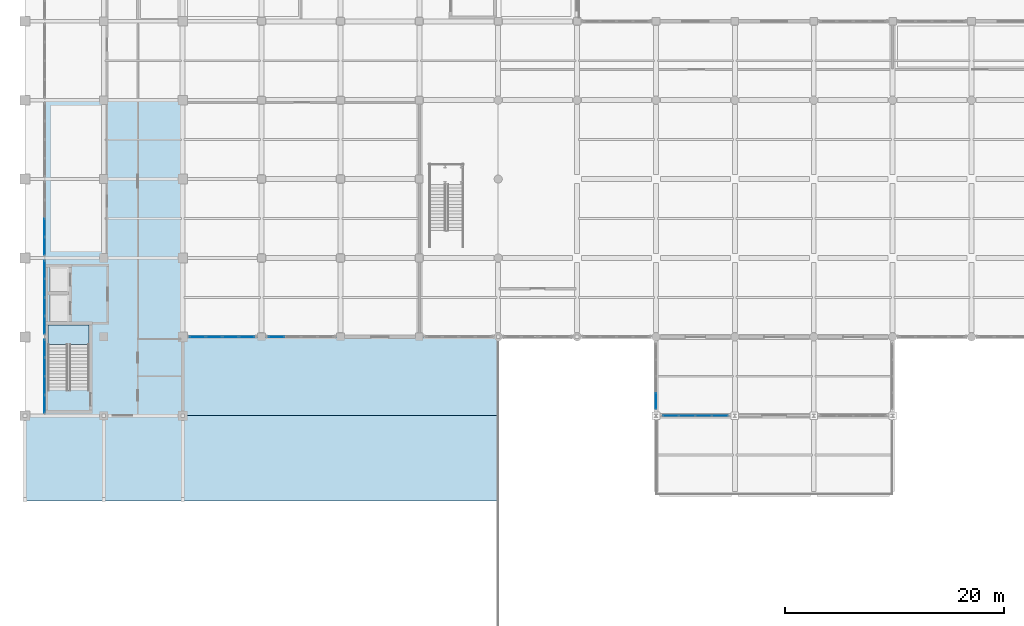
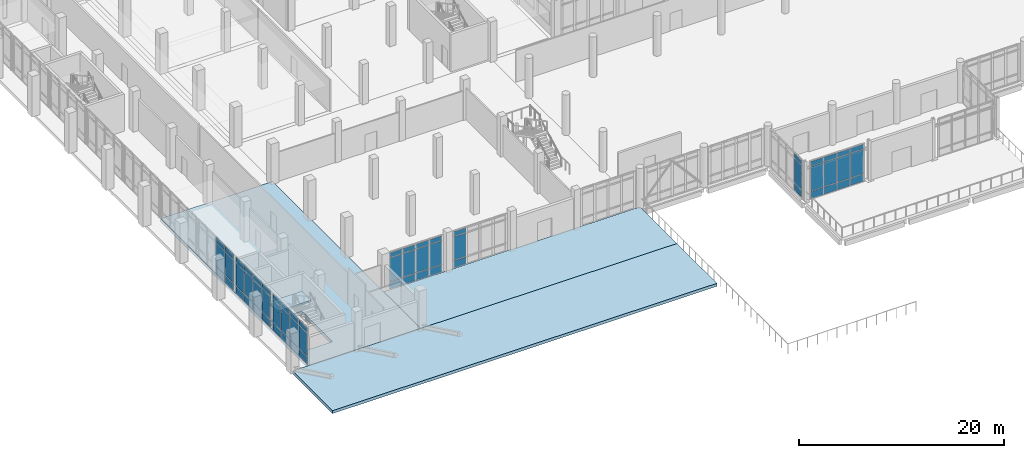
# One storey, part 27 of 59: 60 plates, 4 slabs, 8 elements without a shape of their own.
"""IFC4 building model written with IfcOpenShell, lengths in metres."""

from ifc_helpers import new_model, si_unit, direction, frame, origin, origin_2d, place, context, subcontext, project, spatial, polyline, rectangle, outline, extrude, material, layer, layer_set, type_object, element, aggregate, save


model = new_model("IFC4")

# Units and contexts
model_context = context("Model", 3, precision=1e-05, world=origin(), true_north=direction((0.0, 1.0)))
body_context = subcontext(model_context, "Body", "Model", "MODEL_VIEW")
ifc_project = project(units=[si_unit("LENGTHUNIT", "METRE"), si_unit("AREAUNIT", "SQUARE_METRE"), si_unit("VOLUMEUNIT", "CUBIC_METRE"), si_unit("PLANEANGLEUNIT", "RADIAN"), si_unit("MASSUNIT", "GRAM", prefix="KILO")], contexts=[model_context])

# Site, building, storey
site_placement = place(None, origin())
site = spatial("IfcSite", under=ifc_project, at=site_placement, CompositionType="ELEMENT")
building_placement = place(site_placement, origin())
building = spatial("IfcBuilding", under=site, at=building_placement, Name="Valkovuoma Quantum and Materials Research Institute", CompositionType="ELEMENT")
storey_placement = place(building_placement, origin())
storey = spatial("IfcBuildingStorey", under=building, at=storey_placement, Name="L00", CompositionType="ELEMENT", Elevation=0.0)

# Curtain wall, plates
ifc_material_1 = material(Name="Thermally broken aluminium and triple low-E glazing", Category="aluminium")
ifc_layer_1 = layer(ifc_material_1, 0.219970703125)
ifc_layer_set_1 = layer_set([ifc_layer_1], Name="Thermally broken aluminium and triple low-E glazing")
curtain_wall_type_1 = type_object("IfcCurtainWallType", Name="CW-CW-03", PredefinedType="NOTDEFINED", material=ifc_layer_set_1)
curtain_wall_1_placement = place(storey_placement, origin())
curtain_wall_1 = element("IfcCurtainWall", 1, at=curtain_wall_1_placement, inside=storey, type_object=curtain_wall_type_1, Name="L00 curtain wall CW-L00-V5-04", PredefinedType="NOTDEFINED")
ifc_material_2 = material(Name="Triple low-E argon insulating glass", Category="glass")
ifc_layer_2 = layer(ifc_material_2, 0.035888671875)
ifc_layer_set_2 = layer_set([ifc_layer_2], Name="Triple low-E argon insulating glass")
plate_type_1 = type_object("IfcPlateType", Name="CWPanel-CWP-01", PredefinedType="CURTAIN_PANEL", material=ifc_layer_set_2)
plate_1_placement = place(storey_placement, frame((1.800048828125, 29.86865234375, 0.06494140625), z_axis=(0.0, 0.0, 1.0), x_axis=(0.0, 1.0, 0.0)))
plate_1 = element("IfcPlate", 2, at=plate_1_placement, type_object=plate_type_1, Name="CW-03 panel 1.1", PredefinedType="CURTAIN_PANEL", context=body_context, shape_type="SweptSolid", body=[
    extrude(rectangle(XDim=1.58740234375, YDim=0.035888671875, at=origin_2d()), origin(), (0.0, 0.0, 1.0), 0.8525390625),
])
plate_2_placement = place(storey_placement, frame((1.800048828125, 29.86865234375, 0.982421875), z_axis=(0.0, 0.0, 1.0), x_axis=(0.0, 1.0, 0.0)))
plate_2 = element("IfcPlate", 3, at=plate_2_placement, type_object=plate_type_1, Name="CW-03 panel 1.2", PredefinedType="CURTAIN_PANEL", context=body_context, shape_type="SweptSolid", body=[
    extrude(rectangle(XDim=1.58740234375, YDim=0.035888671875, at=origin_2d()), origin(), (0.0, 0.0, 1.0), 2.735107421875),
])
plate_3_placement = place(storey_placement, frame((1.800048828125, 29.86865234375, 3.78271484375), z_axis=(0.0, 0.0, 1.0), x_axis=(0.0, 1.0, 0.0)))
plate_3 = element("IfcPlate", 4, at=plate_3_placement, type_object=plate_type_1, Name="CW-03 panel 1.3", PredefinedType="CURTAIN_PANEL", context=body_context, shape_type="SweptSolid", body=[
    extrude(rectangle(XDim=1.58740234375, YDim=0.035888671875, at=origin_2d()), origin(), (0.0, 0.0, 1.0), 0.552490234375),
])
plate_4_placement = place(storey_placement, frame((1.800048828125, 31.550048828125, 0.06494140625), z_axis=(0.0, 0.0, 1.0), x_axis=(0.0, 1.0, 0.0)))
plate_4 = element("IfcPlate", 5, at=plate_4_placement, type_object=plate_type_1, Name="CW-03 panel 2.1", PredefinedType="CURTAIN_PANEL", context=body_context, shape_type="SweptSolid", body=[
    extrude(rectangle(XDim=1.625, YDim=0.035888671875, at=origin_2d()), origin(), (0.0, 0.0, 1.0), 0.8525390625),
])
plate_5_placement = place(storey_placement, frame((1.800048828125, 31.550048828125, 0.982421875), z_axis=(0.0, 0.0, 1.0), x_axis=(0.0, 1.0, 0.0)))
plate_5 = element("IfcPlate", 6, at=plate_5_placement, type_object=plate_type_1, Name="CW-03 panel 2.2", PredefinedType="CURTAIN_PANEL", context=body_context, shape_type="SweptSolid", body=[
    extrude(rectangle(XDim=1.625, YDim=0.035888671875, at=origin_2d()), origin(), (0.0, 0.0, 1.0), 2.735107421875),
])
plate_6_placement = place(storey_placement, frame((1.800048828125, 31.550048828125, 3.78271484375), z_axis=(0.0, 0.0, 1.0), x_axis=(0.0, 1.0, 0.0)))
plate_6 = element("IfcPlate", 7, at=plate_6_placement, type_object=plate_type_1, Name="CW-03 panel 2.3", PredefinedType="CURTAIN_PANEL", context=body_context, shape_type="SweptSolid", body=[
    extrude(rectangle(XDim=1.625, YDim=0.035888671875, at=origin_2d()), origin(), (0.0, 0.0, 1.0), 0.552490234375),
])
plate_7_placement = place(storey_placement, frame((1.800048828125, 33.25, 0.06494140625), z_axis=(0.0, 0.0, 1.0), x_axis=(0.0, 1.0, 0.0)))
plate_7 = element("IfcPlate", 8, at=plate_7_placement, type_object=plate_type_1, Name="CW-03 panel 3.1", PredefinedType="CURTAIN_PANEL", context=body_context, shape_type="SweptSolid", body=[
    extrude(rectangle(XDim=1.625, YDim=0.035888671875, at=origin_2d()), origin(), (0.0, 0.0, 1.0), 0.8525390625),
])
plate_8_placement = place(storey_placement, frame((1.800048828125, 33.25, 0.982421875), z_axis=(0.0, 0.0, 1.0), x_axis=(0.0, 1.0, 0.0)))
plate_8 = element("IfcPlate", 9, at=plate_8_placement, type_object=plate_type_1, Name="CW-03 panel 3.2", PredefinedType="CURTAIN_PANEL", context=body_context, shape_type="SweptSolid", body=[
    extrude(rectangle(XDim=1.625, YDim=0.035888671875, at=origin_2d()), origin(), (0.0, 0.0, 1.0), 2.735107421875),
])
plate_9_placement = place(storey_placement, frame((1.800048828125, 33.25, 3.78271484375), z_axis=(0.0, 0.0, 1.0), x_axis=(0.0, 1.0, 0.0)))
plate_9 = element("IfcPlate", 10, at=plate_9_placement, type_object=plate_type_1, Name="CW-03 panel 3.3", PredefinedType="CURTAIN_PANEL", context=body_context, shape_type="SweptSolid", body=[
    extrude(rectangle(XDim=1.625, YDim=0.035888671875, at=origin_2d()), origin(), (0.0, 0.0, 1.0), 0.552490234375),
])
plate_10_placement = place(storey_placement, frame((1.800048828125, 34.93115234375, 0.06494140625), z_axis=(0.0, 0.0, 1.0), x_axis=(0.0, 1.0, 0.0)))
plate_10 = element("IfcPlate", 11, at=plate_10_placement, type_object=plate_type_1, Name="CW-03 panel 4.1", PredefinedType="CURTAIN_PANEL", context=body_context, shape_type="SweptSolid", body=[
    extrude(rectangle(XDim=1.58740234375, YDim=0.035888671875, at=origin_2d()), origin(), (0.0, 0.0, 1.0), 0.8525390625),
])
plate_11_placement = place(storey_placement, frame((1.800048828125, 34.93115234375, 0.982421875), z_axis=(0.0, 0.0, 1.0), x_axis=(0.0, 1.0, 0.0)))
plate_11 = element("IfcPlate", 12, at=plate_11_placement, type_object=plate_type_1, Name="CW-03 panel 4.2", PredefinedType="CURTAIN_PANEL", context=body_context, shape_type="SweptSolid", body=[
    extrude(rectangle(XDim=1.58740234375, YDim=0.035888671875, at=origin_2d()), origin(), (0.0, 0.0, 1.0), 2.735107421875),
])
plate_12_placement = place(storey_placement, frame((1.800048828125, 34.93115234375, 3.78271484375), z_axis=(0.0, 0.0, 1.0), x_axis=(0.0, 1.0, 0.0)))
plate_12 = element("IfcPlate", 13, at=plate_12_placement, type_object=plate_type_1, Name="CW-03 panel 4.3", PredefinedType="CURTAIN_PANEL", context=body_context, shape_type="SweptSolid", body=[
    extrude(rectangle(XDim=1.58740234375, YDim=0.035888671875, at=origin_2d()), origin(), (0.0, 0.0, 1.0), 0.552490234375),
])
aggregate(curtain_wall_1, [plate_1, plate_2, plate_3, plate_4, plate_5, plate_6, plate_7, plate_8, plate_9, plate_10, plate_11, plate_12])

curtain_wall_2_placement = place(storey_placement, origin())
curtain_wall_2 = element("IfcCurtainWall", 14, at=curtain_wall_2_placement, inside=storey, type_object=curtain_wall_type_1, Name="L00 curtain wall 001", PredefinedType="NOTDEFINED")
plate_13_placement = place(storey_placement, frame((1.800048828125, 37.06884765625, 0.06494140625), z_axis=(0.0, 0.0, 1.0), x_axis=(0.0, 1.0, 0.0)))
plate_13 = element("IfcPlate", 15, at=plate_13_placement, type_object=plate_type_1, Name="CW-03 panel 1.1", PredefinedType="CURTAIN_PANEL", context=body_context, shape_type="SweptSolid", body=[
    extrude(rectangle(XDim=1.58740234375, YDim=0.035888671875, at=origin_2d()), origin(), (0.0, 0.0, 1.0), 0.8525390625),
])
plate_14_placement = place(storey_placement, frame((1.800048828125, 37.06884765625, 0.982421875), z_axis=(0.0, 0.0, 1.0), x_axis=(0.0, 1.0, 0.0)))
plate_14 = element("IfcPlate", 16, at=plate_14_placement, type_object=plate_type_1, Name="CW-03 panel 1.2", PredefinedType="CURTAIN_PANEL", context=body_context, shape_type="SweptSolid", body=[
    extrude(rectangle(XDim=1.58740234375, YDim=0.035888671875, at=origin_2d()), origin(), (0.0, 0.0, 1.0), 2.735107421875),
])
plate_15_placement = place(storey_placement, frame((1.800048828125, 37.06884765625, 3.78271484375), z_axis=(0.0, 0.0, 1.0), x_axis=(0.0, 1.0, 0.0)))
plate_15 = element("IfcPlate", 17, at=plate_15_placement, type_object=plate_type_1, Name="CW-03 panel 1.3", PredefinedType="CURTAIN_PANEL", context=body_context, shape_type="SweptSolid", body=[
    extrude(rectangle(XDim=1.58740234375, YDim=0.035888671875, at=origin_2d()), origin(), (0.0, 0.0, 1.0), 0.552490234375),
])
plate_16_placement = place(storey_placement, frame((1.800048828125, 38.75, 0.06494140625), z_axis=(0.0, 0.0, 1.0), x_axis=(0.0, 1.0, 0.0)))
plate_16 = element("IfcPlate", 18, at=plate_16_placement, type_object=plate_type_1, Name="CW-03 panel 2.1", PredefinedType="CURTAIN_PANEL", context=body_context, shape_type="SweptSolid", body=[
    extrude(rectangle(XDim=1.625, YDim=0.035888671875, at=origin_2d()), origin(), (0.0, 0.0, 1.0), 0.8525390625),
])
plate_17_placement = place(storey_placement, frame((1.800048828125, 38.75, 0.982421875), z_axis=(0.0, 0.0, 1.0), x_axis=(0.0, 1.0, 0.0)))
plate_17 = element("IfcPlate", 19, at=plate_17_placement, type_object=plate_type_1, Name="CW-03 panel 2.2", PredefinedType="CURTAIN_PANEL", context=body_context, shape_type="SweptSolid", body=[
    extrude(rectangle(XDim=1.625, YDim=0.035888671875, at=origin_2d()), origin(), (0.0, 0.0, 1.0), 2.735107421875),
])
plate_18_placement = place(storey_placement, frame((1.800048828125, 38.75, 3.78271484375), z_axis=(0.0, 0.0, 1.0), x_axis=(0.0, 1.0, 0.0)))
plate_18 = element("IfcPlate", 20, at=plate_18_placement, type_object=plate_type_1, Name="CW-03 panel 2.3", PredefinedType="CURTAIN_PANEL", context=body_context, shape_type="SweptSolid", body=[
    extrude(rectangle(XDim=1.625, YDim=0.035888671875, at=origin_2d()), origin(), (0.0, 0.0, 1.0), 0.552490234375),
])
plate_19_placement = place(storey_placement, frame((1.800048828125, 40.449951171875, 0.06494140625), z_axis=(0.0, 0.0, 1.0), x_axis=(0.0, 1.0, 0.0)))
plate_19 = element("IfcPlate", 21, at=plate_19_placement, type_object=plate_type_1, Name="CW-03 panel 3.1", PredefinedType="CURTAIN_PANEL", context=body_context, shape_type="SweptSolid", body=[
    extrude(rectangle(XDim=1.625, YDim=0.035888671875, at=origin_2d()), origin(), (0.0, 0.0, 1.0), 0.8525390625),
])
plate_20_placement = place(storey_placement, frame((1.800048828125, 40.449951171875, 0.982421875), z_axis=(0.0, 0.0, 1.0), x_axis=(0.0, 1.0, 0.0)))
plate_20 = element("IfcPlate", 22, at=plate_20_placement, type_object=plate_type_1, Name="CW-03 panel 3.2", PredefinedType="CURTAIN_PANEL", context=body_context, shape_type="SweptSolid", body=[
    extrude(rectangle(XDim=1.625, YDim=0.035888671875, at=origin_2d()), origin(), (0.0, 0.0, 1.0), 2.735107421875),
])
plate_21_placement = place(storey_placement, frame((1.800048828125, 40.449951171875, 3.78271484375), z_axis=(0.0, 0.0, 1.0), x_axis=(0.0, 1.0, 0.0)))
plate_21 = element("IfcPlate", 23, at=plate_21_placement, type_object=plate_type_1, Name="CW-03 panel 3.3", PredefinedType="CURTAIN_PANEL", context=body_context, shape_type="SweptSolid", body=[
    extrude(rectangle(XDim=1.625, YDim=0.035888671875, at=origin_2d()), origin(), (0.0, 0.0, 1.0), 0.552490234375),
])
plate_22_placement = place(storey_placement, frame((1.800048828125, 42.13134765625, 0.06494140625), z_axis=(0.0, 0.0, 1.0), x_axis=(0.0, 1.0, 0.0)))
plate_22 = element("IfcPlate", 24, at=plate_22_placement, type_object=plate_type_1, Name="CW-03 panel 4.1", PredefinedType="CURTAIN_PANEL", context=body_context, shape_type="SweptSolid", body=[
    extrude(rectangle(XDim=1.58740234375, YDim=0.035888671875, at=origin_2d()), origin(), (0.0, 0.0, 1.0), 0.8525390625),
])
plate_23_placement = place(storey_placement, frame((1.800048828125, 42.13134765625, 0.982421875), z_axis=(0.0, 0.0, 1.0), x_axis=(0.0, 1.0, 0.0)))
plate_23 = element("IfcPlate", 25, at=plate_23_placement, type_object=plate_type_1, Name="CW-03 panel 4.2", PredefinedType="CURTAIN_PANEL", context=body_context, shape_type="SweptSolid", body=[
    extrude(rectangle(XDim=1.58740234375, YDim=0.035888671875, at=origin_2d()), origin(), (0.0, 0.0, 1.0), 2.735107421875),
])
plate_24_placement = place(storey_placement, frame((1.800048828125, 42.13134765625, 3.78271484375), z_axis=(0.0, 0.0, 1.0), x_axis=(0.0, 1.0, 0.0)))
plate_24 = element("IfcPlate", 26, at=plate_24_placement, type_object=plate_type_1, Name="CW-03 panel 4.3", PredefinedType="CURTAIN_PANEL", context=body_context, shape_type="SweptSolid", body=[
    extrude(rectangle(XDim=1.58740234375, YDim=0.035888671875, at=origin_2d()), origin(), (0.0, 0.0, 1.0), 0.552490234375),
])
aggregate(curtain_wall_2, [plate_13, plate_14, plate_15, plate_16, plate_17, plate_18, plate_19, plate_20, plate_21, plate_22, plate_23, plate_24])

curtain_wall_3_placement = place(storey_placement, origin())
curtain_wall_3 = element("IfcCurtainWall", 27, at=curtain_wall_3_placement, inside=storey, type_object=curtain_wall_type_1, Name="L00 curtain wall 002", PredefinedType="NOTDEFINED")
plate_25_placement = place(storey_placement, frame((1.800048828125, 44.268798828125, 0.06494140625), z_axis=(0.0, 0.0, 1.0), x_axis=(0.0, 1.0, 0.0)))
plate_25 = element("IfcPlate", 28, at=plate_25_placement, type_object=plate_type_1, Name="CW-03 panel 1.1", PredefinedType="CURTAIN_PANEL", context=body_context, shape_type="SweptSolid", body=[
    extrude(rectangle(XDim=1.58740234375, YDim=0.035888671875, at=origin_2d()), origin(), (0.0, 0.0, 1.0), 0.8525390625),
])
plate_26_placement = place(storey_placement, frame((1.800048828125, 44.268798828125, 0.982421875), z_axis=(0.0, 0.0, 1.0), x_axis=(0.0, 1.0, 0.0)))
plate_26 = element("IfcPlate", 29, at=plate_26_placement, type_object=plate_type_1, Name="CW-03 panel 1.2", PredefinedType="CURTAIN_PANEL", context=body_context, shape_type="SweptSolid", body=[
    extrude(rectangle(XDim=1.58740234375, YDim=0.035888671875, at=origin_2d()), origin(), (0.0, 0.0, 1.0), 2.735107421875),
])
plate_27_placement = place(storey_placement, frame((1.800048828125, 44.268798828125, 3.78271484375), z_axis=(0.0, 0.0, 1.0), x_axis=(0.0, 1.0, 0.0)))
plate_27 = element("IfcPlate", 30, at=plate_27_placement, type_object=plate_type_1, Name="CW-03 panel 1.3", PredefinedType="CURTAIN_PANEL", context=body_context, shape_type="SweptSolid", body=[
    extrude(rectangle(XDim=1.58740234375, YDim=0.035888671875, at=origin_2d()), origin(), (0.0, 0.0, 1.0), 0.552490234375),
])
plate_28_placement = place(storey_placement, frame((1.800048828125, 45.949951171875, 0.06494140625), z_axis=(0.0, 0.0, 1.0), x_axis=(0.0, 1.0, 0.0)))
plate_28 = element("IfcPlate", 31, at=plate_28_placement, type_object=plate_type_1, Name="CW-03 panel 2.1", PredefinedType="CURTAIN_PANEL", context=body_context, shape_type="SweptSolid", body=[
    extrude(rectangle(XDim=1.625, YDim=0.035888671875, at=origin_2d()), origin(), (0.0, 0.0, 1.0), 0.8525390625),
])
plate_29_placement = place(storey_placement, frame((1.800048828125, 45.949951171875, 0.982421875), z_axis=(0.0, 0.0, 1.0), x_axis=(0.0, 1.0, 0.0)))
plate_29 = element("IfcPlate", 32, at=plate_29_placement, type_object=plate_type_1, Name="CW-03 panel 2.2", PredefinedType="CURTAIN_PANEL", context=body_context, shape_type="SweptSolid", body=[
    extrude(rectangle(XDim=1.625, YDim=0.035888671875, at=origin_2d()), origin(), (0.0, 0.0, 1.0), 2.735107421875),
])
plate_30_placement = place(storey_placement, frame((1.800048828125, 45.949951171875, 3.78271484375), z_axis=(0.0, 0.0, 1.0), x_axis=(0.0, 1.0, 0.0)))
plate_30 = element("IfcPlate", 33, at=plate_30_placement, type_object=plate_type_1, Name="CW-03 panel 2.3", PredefinedType="CURTAIN_PANEL", context=body_context, shape_type="SweptSolid", body=[
    extrude(rectangle(XDim=1.625, YDim=0.035888671875, at=origin_2d()), origin(), (0.0, 0.0, 1.0), 0.552490234375),
])
aggregate(curtain_wall_3, [plate_25, plate_26, plate_27, plate_28, plate_29, plate_30])

ifc_material_3 = material(Name="Thermally broken aluminium and triple low-E glazing", Category="aluminium")
ifc_layer_3 = layer(ifc_material_3, 0.219970703125)
ifc_layer_set_3 = layer_set([ifc_layer_3], Name="Thermally broken aluminium and triple low-E glazing")
curtain_wall_type_2 = type_object("IfcCurtainWallType", Name="CW-CW-04", PredefinedType="NOTDEFINED", material=ifc_layer_set_3)
curtain_wall_4_placement = place(storey_placement, origin())
curtain_wall_4 = element("IfcCurtainWall", 34, at=curtain_wall_4_placement, inside=storey, type_object=curtain_wall_type_2, Name="L00 curtain wall 143", PredefinedType="NOTDEFINED")
plate_31_placement = place(storey_placement, frame((58.951171875, 28.800048828125, 0.06494140625), z_axis=(0.0, 0.0, 1.0), x_axis=(1.0, 0.0, 0.0)))
plate_31 = element("IfcPlate", 35, at=plate_31_placement, type_object=plate_type_1, Name="CW-04 panel 1.1", PredefinedType="CURTAIN_PANEL", context=body_context, shape_type="SweptSolid", body=[
    extrude(rectangle(XDim=1.41259765625, YDim=0.035888671875, at=origin_2d()), origin(), (0.0, 0.0, 1.0), 0.8525390625),
])
plate_32_placement = place(storey_placement, frame((58.951171875, 28.800048828125, 0.982421875), z_axis=(0.0, 0.0, 1.0), x_axis=(1.0, 0.0, 0.0)))
plate_32 = element("IfcPlate", 36, at=plate_32_placement, type_object=plate_type_1, Name="CW-04 panel 1.2", PredefinedType="CURTAIN_PANEL", context=body_context, shape_type="SweptSolid", body=[
    extrude(rectangle(XDim=1.41259765625, YDim=0.035888671875, at=origin_2d()), origin(), (0.0, 0.0, 1.0), 2.885009765625),
])
plate_33_placement = place(storey_placement, frame((58.951171875, 28.800048828125, 3.9326171875), z_axis=(0.0, 0.0, 1.0), x_axis=(1.0, 0.0, 0.0)))
plate_33 = element("IfcPlate", 37, at=plate_33_placement, type_object=plate_type_1, Name="CW-04 panel 1.3", PredefinedType="CURTAIN_PANEL", context=body_context, shape_type="SweptSolid", body=[
    extrude(rectangle(XDim=1.41259765625, YDim=0.035888671875, at=origin_2d()), origin(), (0.0, 0.0, 1.0), 0.552490234375),
])
plate_34_placement = place(storey_placement, frame((60.445068359375, 28.800048828125, 0.06494140625), z_axis=(0.0, 0.0, 1.0), x_axis=(1.0, 0.0, 0.0)))
plate_34 = element("IfcPlate", 38, at=plate_34_placement, type_object=plate_type_1, Name="CW-04 panel 2.1", PredefinedType="CURTAIN_PANEL", context=body_context, shape_type="SweptSolid", body=[
    extrude(rectangle(XDim=1.445068359375, YDim=0.035888671875, at=origin_2d()), origin(), (0.0, 0.0, 1.0), 0.8525390625),
])
plate_35_placement = place(storey_placement, frame((60.445068359375, 28.800048828125, 0.982421875), z_axis=(0.0, 0.0, 1.0), x_axis=(1.0, 0.0, 0.0)))
plate_35 = element("IfcPlate", 39, at=plate_35_placement, type_object=plate_type_1, Name="CW-04 panel 2.2", PredefinedType="CURTAIN_PANEL", context=body_context, shape_type="SweptSolid", body=[
    extrude(rectangle(XDim=1.445068359375, YDim=0.035888671875, at=origin_2d()), origin(), (0.0, 0.0, 1.0), 2.885009765625),
])
plate_36_placement = place(storey_placement, frame((60.445068359375, 28.800048828125, 3.9326171875), z_axis=(0.0, 0.0, 1.0), x_axis=(1.0, 0.0, 0.0)))
plate_36 = element("IfcPlate", 40, at=plate_36_placement, type_object=plate_type_1, Name="CW-04 panel 2.3", PredefinedType="CURTAIN_PANEL", context=body_context, shape_type="SweptSolid", body=[
    extrude(rectangle(XDim=1.445068359375, YDim=0.035888671875, at=origin_2d()), origin(), (0.0, 0.0, 1.0), 0.552490234375),
])
plate_37_placement = place(storey_placement, frame((61.955078125, 28.800048828125, 0.06494140625), z_axis=(0.0, 0.0, 1.0), x_axis=(1.0, 0.0, 0.0)))
plate_37 = element("IfcPlate", 41, at=plate_37_placement, type_object=plate_type_1, Name="CW-04 panel 3.1", PredefinedType="CURTAIN_PANEL", context=body_context, shape_type="SweptSolid", body=[
    extrude(rectangle(XDim=1.445068359375, YDim=0.035888671875, at=origin_2d()), origin(), (0.0, 0.0, 1.0), 0.8525390625),
])
plate_38_placement = place(storey_placement, frame((61.955078125, 28.800048828125, 0.982421875), z_axis=(0.0, 0.0, 1.0), x_axis=(1.0, 0.0, 0.0)))
plate_38 = element("IfcPlate", 42, at=plate_38_placement, type_object=plate_type_1, Name="CW-04 panel 3.2", PredefinedType="CURTAIN_PANEL", context=body_context, shape_type="SweptSolid", body=[
    extrude(rectangle(XDim=1.445068359375, YDim=0.035888671875, at=origin_2d()), origin(), (0.0, 0.0, 1.0), 2.885009765625),
])
plate_39_placement = place(storey_placement, frame((61.955078125, 28.800048828125, 3.9326171875), z_axis=(0.0, 0.0, 1.0), x_axis=(1.0, 0.0, 0.0)))
plate_39 = element("IfcPlate", 43, at=plate_39_placement, type_object=plate_type_1, Name="CW-04 panel 3.3", PredefinedType="CURTAIN_PANEL", context=body_context, shape_type="SweptSolid", body=[
    extrude(rectangle(XDim=1.445068359375, YDim=0.035888671875, at=origin_2d()), origin(), (0.0, 0.0, 1.0), 0.552490234375),
])
plate_40_placement = place(storey_placement, frame((63.44873046875, 28.800048828125, 0.06494140625), z_axis=(0.0, 0.0, 1.0), x_axis=(1.0, 0.0, 0.0)))
plate_40 = element("IfcPlate", 44, at=plate_40_placement, type_object=plate_type_1, Name="CW-04 panel 4.1", PredefinedType="CURTAIN_PANEL", context=body_context, shape_type="SweptSolid", body=[
    extrude(rectangle(XDim=1.41259765625, YDim=0.035888671875, at=origin_2d()), origin(), (0.0, 0.0, 1.0), 0.8525390625),
])
plate_41_placement = place(storey_placement, frame((63.44873046875, 28.800048828125, 0.982421875), z_axis=(0.0, 0.0, 1.0), x_axis=(1.0, 0.0, 0.0)))
plate_41 = element("IfcPlate", 45, at=plate_41_placement, type_object=plate_type_1, Name="CW-04 panel 4.2", PredefinedType="CURTAIN_PANEL", context=body_context, shape_type="SweptSolid", body=[
    extrude(rectangle(XDim=1.41259765625, YDim=0.035888671875, at=origin_2d()), origin(), (0.0, 0.0, 1.0), 2.885009765625),
])
plate_42_placement = place(storey_placement, frame((63.44873046875, 28.800048828125, 3.9326171875), z_axis=(0.0, 0.0, 1.0), x_axis=(1.0, 0.0, 0.0)))
plate_42 = element("IfcPlate", 46, at=plate_42_placement, type_object=plate_type_1, Name="CW-04 panel 4.3", PredefinedType="CURTAIN_PANEL", context=body_context, shape_type="SweptSolid", body=[
    extrude(rectangle(XDim=1.41259765625, YDim=0.035888671875, at=origin_2d()), origin(), (0.0, 0.0, 1.0), 0.552490234375),
])
aggregate(curtain_wall_4, [plate_31, plate_32, plate_33, plate_34, plate_35, plate_36, plate_37, plate_38, plate_39, plate_40, plate_41, plate_42])

curtain_wall_5_placement = place(storey_placement, origin())
curtain_wall_5 = element("IfcCurtainWall", 47, at=curtain_wall_5_placement, inside=storey, type_object=curtain_wall_type_2, Name="L00 curtain wall 145", PredefinedType="NOTDEFINED")
plate_43_placement = place(storey_placement, frame((57.60009765625, 30.1513671875, 0.06494140625), z_axis=(0.0, 0.0, 1.0), x_axis=(0.0, 1.0, 0.0)))
plate_43 = element("IfcPlate", 48, at=plate_43_placement, type_object=plate_type_1, Name="CW-04 panel 1.1", PredefinedType="CURTAIN_PANEL", context=body_context, shape_type="SweptSolid", body=[
    extrude(rectangle(XDim=1.41259765625, YDim=0.035888671875, at=origin_2d()), origin(), (0.0, 0.0, 1.0), 0.8525390625),
])
plate_44_placement = place(storey_placement, frame((57.60009765625, 30.1513671875, 0.982421875), z_axis=(0.0, 0.0, 1.0), x_axis=(0.0, 1.0, 0.0)))
plate_44 = element("IfcPlate", 49, at=plate_44_placement, type_object=plate_type_1, Name="CW-04 panel 1.2", PredefinedType="CURTAIN_PANEL", context=body_context, shape_type="SweptSolid", body=[
    extrude(rectangle(XDim=1.41259765625, YDim=0.035888671875, at=origin_2d()), origin(), (0.0, 0.0, 1.0), 2.885009765625),
])
plate_45_placement = place(storey_placement, frame((57.60009765625, 30.1513671875, 3.9326171875), z_axis=(0.0, 0.0, 1.0), x_axis=(0.0, 1.0, 0.0)))
plate_45 = element("IfcPlate", 50, at=plate_45_placement, type_object=plate_type_1, Name="CW-04 panel 1.3", PredefinedType="CURTAIN_PANEL", context=body_context, shape_type="SweptSolid", body=[
    extrude(rectangle(XDim=1.41259765625, YDim=0.035888671875, at=origin_2d()), origin(), (0.0, 0.0, 1.0), 0.552490234375),
])
aggregate(curtain_wall_5, [plate_43, plate_44, plate_45])

ifc_material_4 = material(Name="Thermally broken aluminium and triple low-E glazing", Category="aluminium")
ifc_layer_4 = layer(ifc_material_4, 0.219970703125)
ifc_layer_set_4 = layer_set([ifc_layer_4], Name="Thermally broken aluminium and triple low-E glazing")
curtain_wall_type_3 = type_object("IfcCurtainWallType", Name="CW-CW-02", PredefinedType="NOTDEFINED", material=ifc_layer_set_4)
curtain_wall_6_placement = place(storey_placement, origin())
curtain_wall_6 = element("IfcCurtainWall", 51, at=curtain_wall_6_placement, inside=storey, type_object=curtain_wall_type_3, Name="L00 curtain wall 147", PredefinedType="NOTDEFINED")
ifc_material_5 = material(Name="Triple low-E argon insulating glass", Category="glass")
ifc_layer_5 = layer(ifc_material_5, 0.048095703125)
ifc_layer_set_5 = layer_set([ifc_layer_5], Name="Triple low-E argon insulating glass")
plate_type_2 = type_object("IfcPlateType", Name="CWPanel-CWP-03", PredefinedType="CURTAIN_PANEL", material=ifc_layer_set_5)
plate_46_placement = place(storey_placement, frame((15.7548828125, 36.0, 0.074951171875), z_axis=(0.0, 0.0, 1.0), x_axis=(1.0, 0.0, 0.0)))
plate_46 = element("IfcPlate", 52, at=plate_46_placement, type_object=plate_type_2, Name="CW-02 panel 1.1", PredefinedType="CURTAIN_PANEL", context=body_context, shape_type="SweptSolid", body=[
    extrude(rectangle(XDim=1.389892578125, YDim=0.048095703125, at=origin_2d()), origin(), (0.0, 0.0, 1.0), 0.83740234375),
])
plate_47_placement = place(storey_placement, frame((15.7548828125, 36.0, 0.987548828125), z_axis=(0.0, 0.0, 1.0), x_axis=(1.0, 0.0, 0.0)))
plate_47 = element("IfcPlate", 53, at=plate_47_placement, type_object=plate_type_2, Name="CW-02 panel 1.2", PredefinedType="CURTAIN_PANEL", context=body_context, shape_type="SweptSolid", body=[
    extrude(rectangle(XDim=1.389892578125, YDim=0.048095703125, at=origin_2d()), origin(), (0.0, 0.0, 1.0), 2.77490234375),
])
plate_48_placement = place(storey_placement, frame((15.7548828125, 36.0, 3.83740234375), z_axis=(0.0, 0.0, 1.0), x_axis=(1.0, 0.0, 0.0)))
plate_48 = element("IfcPlate", 54, at=plate_48_placement, type_object=plate_type_2, Name="CW-02 panel 1.3", PredefinedType="CURTAIN_PANEL", context=body_context, shape_type="SweptSolid", body=[
    extrude(rectangle(XDim=1.389892578125, YDim=0.048095703125, at=origin_2d()), origin(), (0.0, 0.0, 1.0), 0.53759765625),
])
plate_49_placement = place(storey_placement, frame((17.2451171875, 36.0, 0.074951171875), z_axis=(0.0, 0.0, 1.0), x_axis=(1.0, 0.0, 0.0)))
plate_49 = element("IfcPlate", 55, at=plate_49_placement, type_object=plate_type_2, Name="CW-02 panel 2.1", PredefinedType="CURTAIN_PANEL", context=body_context, shape_type="SweptSolid", body=[
    extrude(rectangle(XDim=1.429931640625, YDim=0.048095703125, at=origin_2d()), origin(), (0.0, 0.0, 1.0), 0.83740234375),
])
plate_50_placement = place(storey_placement, frame((17.2451171875, 36.0, 0.987548828125), z_axis=(0.0, 0.0, 1.0), x_axis=(1.0, 0.0, 0.0)))
plate_50 = element("IfcPlate", 56, at=plate_50_placement, type_object=plate_type_2, Name="CW-02 panel 2.2", PredefinedType="CURTAIN_PANEL", context=body_context, shape_type="SweptSolid", body=[
    extrude(rectangle(XDim=1.429931640625, YDim=0.048095703125, at=origin_2d()), origin(), (0.0, 0.0, 1.0), 2.77490234375),
])
plate_51_placement = place(storey_placement, frame((17.2451171875, 36.0, 3.83740234375), z_axis=(0.0, 0.0, 1.0), x_axis=(1.0, 0.0, 0.0)))
plate_51 = element("IfcPlate", 57, at=plate_51_placement, type_object=plate_type_2, Name="CW-02 panel 2.3", PredefinedType="CURTAIN_PANEL", context=body_context, shape_type="SweptSolid", body=[
    extrude(rectangle(XDim=1.429931640625, YDim=0.048095703125, at=origin_2d()), origin(), (0.0, 0.0, 1.0), 0.53759765625),
])
plate_52_placement = place(storey_placement, frame((18.7548828125, 36.0, 0.074951171875), z_axis=(0.0, 0.0, 1.0), x_axis=(1.0, 0.0, 0.0)))
plate_52 = element("IfcPlate", 58, at=plate_52_placement, type_object=plate_type_2, Name="CW-02 panel 3.1", PredefinedType="CURTAIN_PANEL", context=body_context, shape_type="SweptSolid", body=[
    extrude(rectangle(XDim=1.429931640625, YDim=0.048095703125, at=origin_2d()), origin(), (0.0, 0.0, 1.0), 0.83740234375),
])
plate_53_placement = place(storey_placement, frame((18.7548828125, 36.0, 0.987548828125), z_axis=(0.0, 0.0, 1.0), x_axis=(1.0, 0.0, 0.0)))
plate_53 = element("IfcPlate", 59, at=plate_53_placement, type_object=plate_type_2, Name="CW-02 panel 3.2", PredefinedType="CURTAIN_PANEL", context=body_context, shape_type="SweptSolid", body=[
    extrude(rectangle(XDim=1.429931640625, YDim=0.048095703125, at=origin_2d()), origin(), (0.0, 0.0, 1.0), 2.77490234375),
])
plate_54_placement = place(storey_placement, frame((18.7548828125, 36.0, 3.83740234375), z_axis=(0.0, 0.0, 1.0), x_axis=(1.0, 0.0, 0.0)))
plate_54 = element("IfcPlate", 60, at=plate_54_placement, type_object=plate_type_2, Name="CW-02 panel 3.3", PredefinedType="CURTAIN_PANEL", context=body_context, shape_type="SweptSolid", body=[
    extrude(rectangle(XDim=1.429931640625, YDim=0.048095703125, at=origin_2d()), origin(), (0.0, 0.0, 1.0), 0.53759765625),
])
plate_55_placement = place(storey_placement, frame((20.2451171875, 36.0, 0.074951171875), z_axis=(0.0, 0.0, 1.0), x_axis=(1.0, 0.0, 0.0)))
plate_55 = element("IfcPlate", 61, at=plate_55_placement, type_object=plate_type_2, Name="CW-02 panel 4.1", PredefinedType="CURTAIN_PANEL", context=body_context, shape_type="SweptSolid", body=[
    extrude(rectangle(XDim=1.389892578125, YDim=0.048095703125, at=origin_2d()), origin(), (0.0, 0.0, 1.0), 0.83740234375),
])
plate_56_placement = place(storey_placement, frame((20.2451171875, 36.0, 0.987548828125), z_axis=(0.0, 0.0, 1.0), x_axis=(1.0, 0.0, 0.0)))
plate_56 = element("IfcPlate", 62, at=plate_56_placement, type_object=plate_type_2, Name="CW-02 panel 4.2", PredefinedType="CURTAIN_PANEL", context=body_context, shape_type="SweptSolid", body=[
    extrude(rectangle(XDim=1.389892578125, YDim=0.048095703125, at=origin_2d()), origin(), (0.0, 0.0, 1.0), 2.77490234375),
])
plate_57_placement = place(storey_placement, frame((20.2451171875, 36.0, 3.83740234375), z_axis=(0.0, 0.0, 1.0), x_axis=(1.0, 0.0, 0.0)))
plate_57 = element("IfcPlate", 63, at=plate_57_placement, type_object=plate_type_2, Name="CW-02 panel 4.3", PredefinedType="CURTAIN_PANEL", context=body_context, shape_type="SweptSolid", body=[
    extrude(rectangle(XDim=1.389892578125, YDim=0.048095703125, at=origin_2d()), origin(), (0.0, 0.0, 1.0), 0.53759765625),
])
aggregate(curtain_wall_6, [plate_46, plate_47, plate_48, plate_49, plate_50, plate_51, plate_52, plate_53, plate_54, plate_55, plate_56, plate_57])

curtain_wall_7_placement = place(storey_placement, origin())
curtain_wall_7 = element("IfcCurtainWall", 64, at=curtain_wall_7_placement, inside=storey, type_object=curtain_wall_type_3, Name="L00 curtain wall 148", PredefinedType="NOTDEFINED")
plate_58_placement = place(storey_placement, frame((22.955078125, 36.0, 0.074951171875), z_axis=(0.0, 0.0, 1.0), x_axis=(1.0, 0.0, 0.0)))
plate_58 = element("IfcPlate", 65, at=plate_58_placement, type_object=plate_type_2, Name="CW-02 panel 1.1", PredefinedType="CURTAIN_PANEL", context=body_context, shape_type="SweptSolid", body=[
    extrude(rectangle(XDim=1.389892578125, YDim=0.048095703125, at=origin_2d()), origin(), (0.0, 0.0, 1.0), 0.83740234375),
])
plate_59_placement = place(storey_placement, frame((22.955078125, 36.0, 0.987548828125), z_axis=(0.0, 0.0, 1.0), x_axis=(1.0, 0.0, 0.0)))
plate_59 = element("IfcPlate", 66, at=plate_59_placement, type_object=plate_type_2, Name="CW-02 panel 1.2", PredefinedType="CURTAIN_PANEL", context=body_context, shape_type="SweptSolid", body=[
    extrude(rectangle(XDim=1.389892578125, YDim=0.048095703125, at=origin_2d()), origin(), (0.0, 0.0, 1.0), 2.77490234375),
])
plate_60_placement = place(storey_placement, frame((22.955078125, 36.0, 3.83740234375), z_axis=(0.0, 0.0, 1.0), x_axis=(1.0, 0.0, 0.0)))
plate_60 = element("IfcPlate", 67, at=plate_60_placement, type_object=plate_type_2, Name="CW-02 panel 1.3", PredefinedType="CURTAIN_PANEL", context=body_context, shape_type="SweptSolid", body=[
    extrude(rectangle(XDim=1.389892578125, YDim=0.048095703125, at=origin_2d()), origin(), (0.0, 0.0, 1.0), 0.53759765625),
])
aggregate(curtain_wall_7, [plate_58, plate_59, plate_60])

# Slab
ifc_material_6 = material(Name="Concrete C40/50", Category="concrete")
ifc_layer_6 = layer(ifc_material_6, 0.39990234375)
ifc_layer_set_6 = layer_set([ifc_layer_6], Name="Concrete C40/50")
slab_type_1 = type_object("IfcSlabType", Name="Slab-SL-FL400", PredefinedType="FLOOR", material=ifc_layer_set_6)
slab_1_placement = place(storey_placement, frame((0.0, 0.0, -0.39990234375)))
element("IfcSlab", 68, at=slab_1_placement, inside=storey, type_object=slab_type_1, Name="L00 vol5_drylab structural slab 1", PredefinedType="FLOOR", context=body_context, shape_type="SweptSolid", body=[
    extrude(outline(polyline([(1.800048828125, 28.800048828125), (14.39990234375, 28.800048828125), (14.39990234375, 57.60009765625), (1.800048828125, 57.60009765625), (1.800048828125, 28.800048828125)]), holes=[polyline([(2.10009765625, 31.159912109375), (5.85009765625, 31.159912109375), (5.85009765625, 37.10009765625), (2.10009765625, 37.10009765625), (2.10009765625, 31.159912109375)]), polyline([(2.219970703125, 37.320068359375), (3.97998046875, 37.320068359375), (3.97998046875, 39.8798828125), (2.219970703125, 39.8798828125), (2.219970703125, 37.320068359375)]), polyline([(2.219970703125, 40.070068359375), (3.97998046875, 40.070068359375), (3.97998046875, 42.330078125), (2.219970703125, 42.330078125), (2.219970703125, 40.070068359375)])]), origin(), (0.0, 0.0, 1.0), 0.39990234375),
])

# Stair, slab
ifc_material_7 = material(Name="Concrete C40/50", Category="concrete")
stair_type = type_object("IfcStairType", Name="Stair-ST-COR", PredefinedType="HALF_TURN_STAIR", material=ifc_material_7)
stair_placement = place(storey_placement, origin())
stair = element("IfcStair", 69, at=stair_placement, inside=storey, type_object=stair_type, Name="L00 Exit Stair ST-1", PredefinedType="HALF_TURN_STAIR")
ifc_material_8 = material(Name="Concrete C40/50", Category="concrete")
ifc_layer_7 = layer(ifc_material_8, 0.199951171875)
ifc_layer_set_7 = layer_set([ifc_layer_7], Name="Concrete C40/50")
slab_type_2 = type_object("IfcSlabType", Name="Slab-SL-LND200", PredefinedType="LANDING", material=ifc_layer_set_7)
slab_2_placement = place(storey_placement, frame((0.0, 0.0, 2.199951171875)))
slab_2 = element("IfcSlab", 70, at=slab_2_placement, type_object=slab_type_2, Name="ST-1 landing 1", PredefinedType="LANDING", context=body_context, shape_type="SweptSolid", body=[
    extrude(outline(polyline([(5.85009765625, 35.300048828125), (5.85009765625, 37.10009765625), (2.10009765625, 37.10009765625), (2.10009765625, 35.300048828125), (5.85009765625, 35.300048828125)])), origin(), (0.0, 0.0, 1.0), 0.199951171875),
])
aggregate(stair, [slab_2])

# Slabs
ifc_material_9 = material(Name="Concrete C40/50", Category="concrete")
ifc_layer_8 = layer(ifc_material_9, 0.35009765625)
ifc_layer_set_8 = layer_set([ifc_layer_8], Name="Concrete C40/50")
slab_type_3 = type_object("IfcSlabType", Name="Slab-SL-TER350", PredefinedType="FLOOR", material=ifc_layer_set_8)
slab_3_placement = place(storey_placement, frame((0.0, 0.0, -0.35009765625)))
element("IfcSlab", 71, at=slab_3_placement, inside=storey, type_object=slab_type_3, Name="L00 outdoor deck PLAZA_SW_APRON", PredefinedType="FLOOR", context=body_context, shape_type="SweptSolid", body=[
    extrude(outline(polyline([(0.0, 21.0), (43.199951171875, 21.0), (43.199951171875, 28.800048828125), (0.0, 28.800048828125), (0.0, 21.0)])), origin(), (0.0, 0.0, 1.0), 0.35009765625),
])
slab_4_placement = place(storey_placement, frame((0.0, 0.0, -0.35009765625)))
element("IfcSlab", 72, at=slab_4_placement, inside=storey, type_object=slab_type_3, Name="L00 outdoor deck PLAZA_ATRIUM_SW", PredefinedType="FLOOR", context=body_context, shape_type="SweptSolid", body=[
    extrude(outline(polyline([(14.39990234375, 28.800048828125), (43.199951171875, 28.800048828125), (43.199951171875, 36.0), (14.39990234375, 36.0), (14.39990234375, 28.800048828125)])), origin(), (0.0, 0.0, 1.0), 0.35009765625),
])

save(model, "model.ifc")
